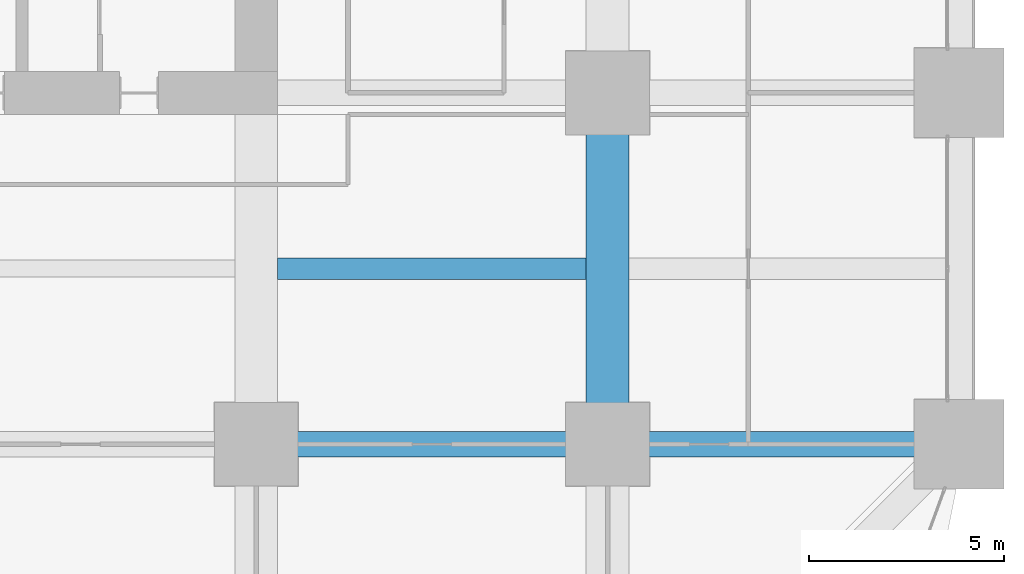
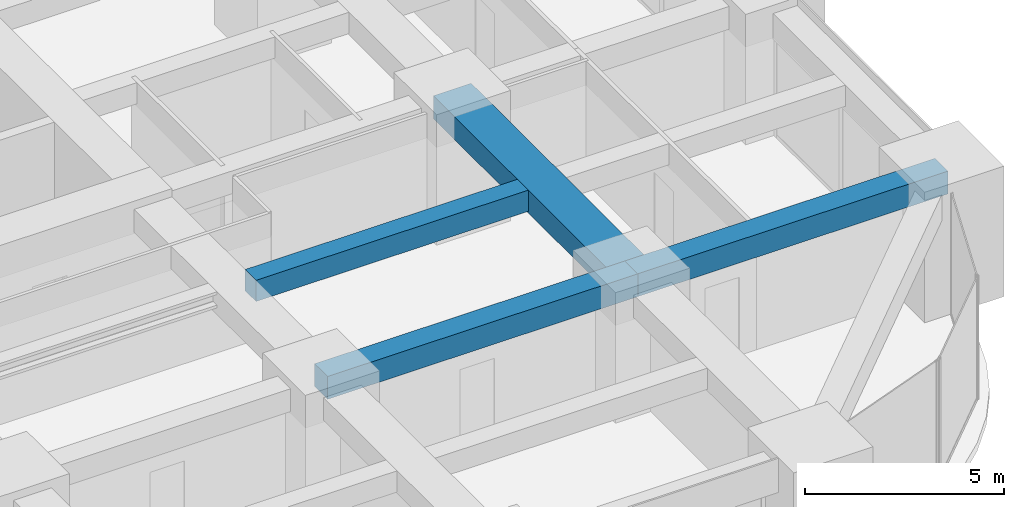
# One storey, part 17 of 44: 4 beams.
"""IFC4 building model written with IfcOpenShell, lengths in metres."""

from ifc_helpers import new_model, si_unit, direction, frame, origin, origin_2d, place, context, subcontext, project, spatial, rectangle, extrude, material, material_profile, profile_set, type_object, element, save


model = new_model("IFC4")

# Units and contexts
model_context = context("Model", 3, precision=1e-05, world=origin(), true_north=direction((0.0, 1.0)))
body_context = subcontext(model_context, "Body", "Model", "MODEL_VIEW")
ifc_project = project(units=[si_unit("LENGTHUNIT", "METRE"), si_unit("AREAUNIT", "SQUARE_METRE"), si_unit("VOLUMEUNIT", "CUBIC_METRE"), si_unit("PLANEANGLEUNIT", "RADIAN"), si_unit("MASSUNIT", "GRAM", prefix="KILO")], contexts=[model_context])

# Site, building, storey
site_placement = place(None, origin())
site = spatial("IfcSite", under=ifc_project, at=site_placement, CompositionType="ELEMENT")
building_placement = place(site_placement, origin())
building = spatial("IfcBuilding", under=site, at=building_placement, Name="Zorevar Civic Tower", CompositionType="ELEMENT")
storey_placement = place(building_placement, frame((0.0, 0.0, 51.800048828125)))
storey = spatial("IfcBuildingStorey", under=building, at=storey_placement, Name="L12", CompositionType="ELEMENT", Elevation=51.800048828125)

# Beams
ifc_material_1 = material(Name="Concrete C50/60", Category="concrete")
ifc_material_profile_1 = material_profile(ifc_material_1, rectangle(XDim=1.10009765625, YDim=0.699951171875, at=origin_2d()), Name="RC 1100x700")
ifc_profile_set_1 = profile_set([ifc_material_profile_1], Name="Concrete C50/60")
beam_type_1 = type_object("IfcBeamType", Name="Beam RC 1100x700", PredefinedType="BEAM", material=ifc_profile_set_1)
beam_1_placement = place(storey_placement, frame((54.0, 9.0, 3.39990234375), z_axis=(0.0, 1.0, 0.0), x_axis=(-1.0, 0.0, 0.0)))
element("IfcBeam", 1, at=beam_1_placement, inside=storey, type_object=beam_type_1, Name="Girder L13", PredefinedType="BEAM", context=body_context, shape_type="SweptSolid", body=[
    extrude(rectangle(XDim=1.10009765625, YDim=0.699951171875, at=origin_2d()), origin(), (0.0, 0.0, 1.0), 9.0),
])
ifc_material_2 = material(Name="Concrete C50/60", Category="concrete")
ifc_material_profile_2 = material_profile(ifc_material_2, rectangle(XDim=0.550048828125, YDim=0.64990234375, at=origin_2d()), Name="RC 550x650")
ifc_profile_set_2 = profile_set([ifc_material_profile_2], Name="Concrete C50/60")
beam_type_2 = type_object("IfcBeamType", Name="Beam RC 550x650", PredefinedType="BEAM", material=ifc_profile_set_2)
beam_2_placement = place(storey_placement, frame((45.550048828125, 13.5, 3.425048828125), z_axis=(1.0, 0.0, 0.0), x_axis=(0.0, 1.0, 0.0)))
element("IfcBeam", 2, at=beam_2_placement, inside=storey, type_object=beam_type_2, Name="Secondary beam L13", PredefinedType="BEAM", context=body_context, shape_type="SweptSolid", body=[
    extrude(rectangle(XDim=0.550048828125, YDim=0.64990234375, at=origin_2d()), origin(), (0.0, 0.0, 1.0), 7.89990234375),
])
ifc_material_3 = material(Name="Concrete C50/60", Category="concrete")
ifc_material_profile_3 = material_profile(ifc_material_3, rectangle(XDim=0.64990234375, YDim=0.699951171875, at=origin_2d()), Name="RC 650x700")
ifc_profile_set_3 = profile_set([ifc_material_profile_3], Name="Concrete C50/60")
beam_type_3 = type_object("IfcBeamType", Name="Beam RC 650x700", PredefinedType="BEAM", material=ifc_profile_set_3)
for number, where, z_axis, x_axis, name in (
    (3, (45.0, 9.0, 3.39990234375), (1.0, 0.0, 0.0), (0.0, 1.0, 0.0), "Girder L13"),
    (4, (54.0, 9.0, 3.39990234375), (1.0, 0.0, 0.0), (0.0, 1.0, 0.0), "Girder L13"),
):
    element("IfcBeam", number, at=place(storey_placement, frame(where, z_axis=z_axis, x_axis=x_axis)), inside=storey, type_object=beam_type_3, Name=name, PredefinedType="BEAM", context=body_context, shape_type="SweptSolid", body=[
        extrude(rectangle(XDim=0.64990234375, YDim=0.699951171875, at=origin_2d()), origin(), (0.0, 0.0, 1.0), 9.0),
    ])

save(model, "model.ifc")
